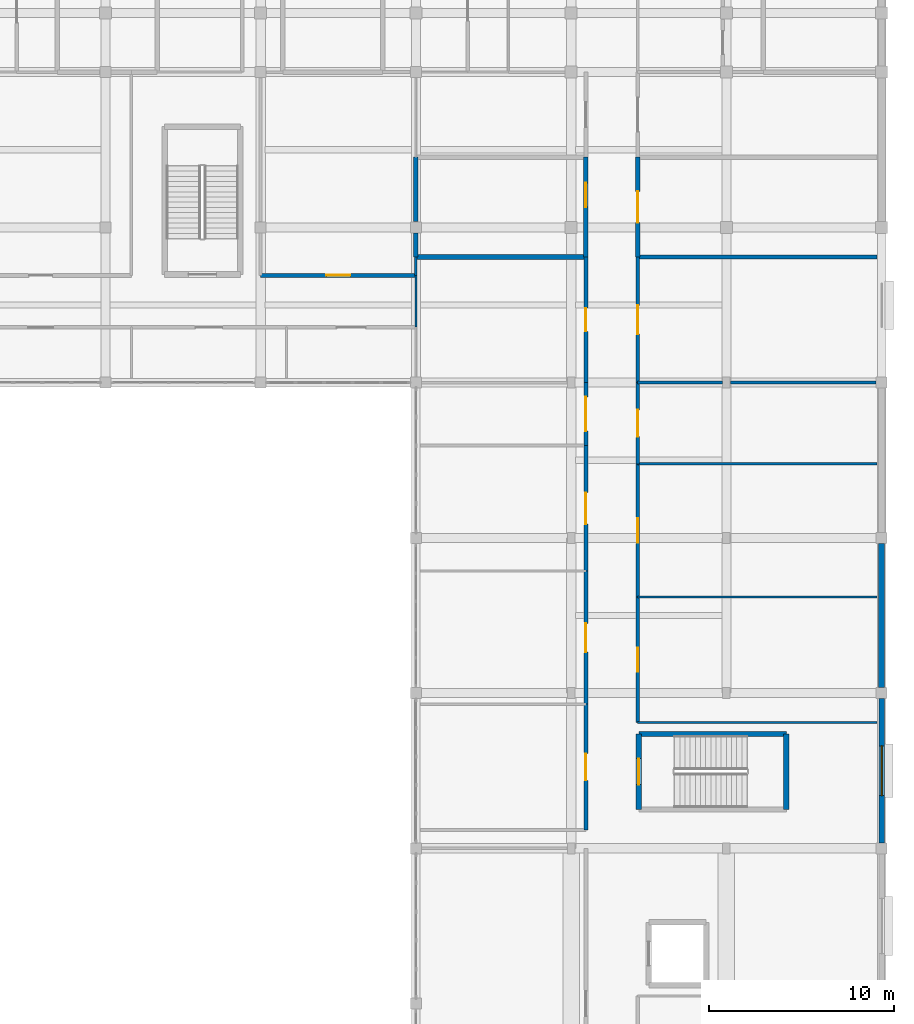
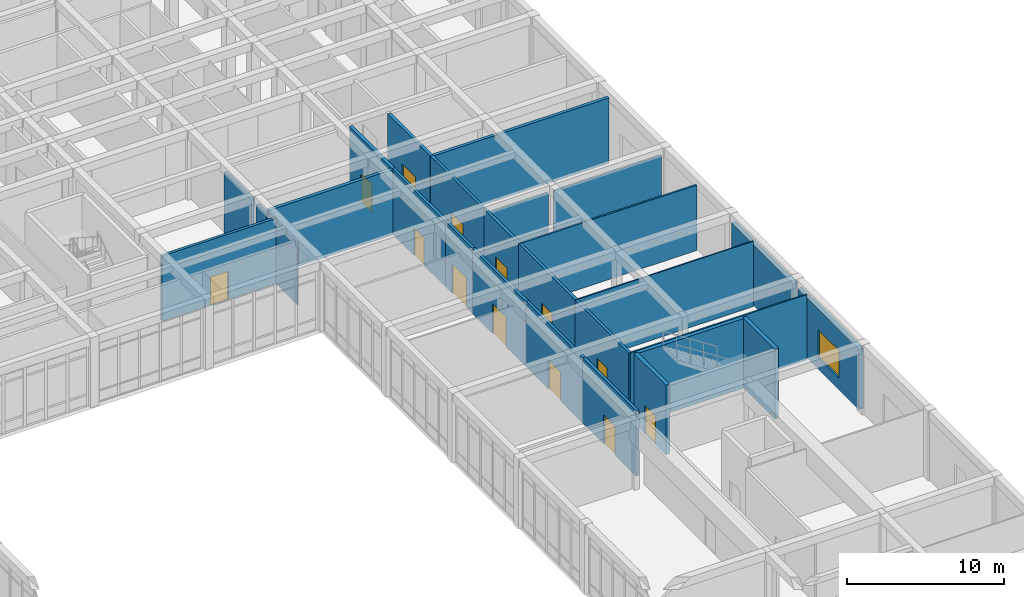
# One storey, part 67 of 89: 28 walls, 13 doors, 1 window, 14 openings.
"""IFC4 building model written with IfcOpenShell, lengths in metres."""

from ifc_helpers import new_model, si_unit, direction, frame, frame_2d, origin, place, context, subcontext, project, spatial, rectangle, extrude, material, layer, layer_set, type_object, element, fill, save


model = new_model("IFC4")

# Units and contexts
model_context = context("Model", 3, precision=1e-05, world=origin(), true_north=direction((0.0, 1.0)))
body_context = subcontext(model_context, "Body", "Model", "MODEL_VIEW")
ifc_project = project(units=[si_unit("LENGTHUNIT", "METRE"), si_unit("AREAUNIT", "SQUARE_METRE"), si_unit("VOLUMEUNIT", "CUBIC_METRE"), si_unit("PLANEANGLEUNIT", "RADIAN"), si_unit("MASSUNIT", "GRAM", prefix="KILO")], contexts=[model_context])

# Site, building, storey
site_placement = place(None, origin())
site = spatial("IfcSite", under=ifc_project, at=site_placement, CompositionType="ELEMENT")
building_placement = place(site_placement, origin())
building = spatial("IfcBuilding", under=site, at=building_placement, Name="Varncliffe General Hospital", CompositionType="ELEMENT")
storey_placement = place(building_placement, frame((0.0, 0.0, 10.800048828125)))
storey = spatial("IfcBuildingStorey", under=building, at=storey_placement, Name="L02", CompositionType="ELEMENT", Elevation=10.800048828125)

# Wall, opening, window
ifc_material_1 = material(Name="Precast concrete C40/50 with insulated cream lime-cement stucco", Category="concrete")
ifc_layer_1 = layer(ifc_material_1, 0.31005859375)
ifc_layer_set_1 = layer_set([ifc_layer_1], Name="Precast concrete C40/50 with insulated cream lime-cement stucco")
wall_type_1 = type_object("IfcWallType", Name="Exterior Insulated Stucco Wall EW20 (310mm)", PredefinedType="SOLIDWALL", material=ifc_layer_set_1)
wall_1_placement = place(storey_placement, frame((176.39990234375, 65.701904296875, 0.0), z_axis=(0.0, 0.0, 1.0), x_axis=(0.0, -1.0, 0.0)))
wall_1 = element("IfcWall", 1, at=wall_1_placement, inside=storey, type_object=wall_type_1, Name="L02 Exterior Stucco Wall EW20-203", PredefinedType="SOLIDWALL", context=body_context, shape_type="SweptSolid", body=[
    extrude(rectangle(XDim=7.803955078125, YDim=0.31005859375, at=frame_2d((3.90185546875, 0.0))), origin(), (0.0, 0.0, 1.0), 4.679931640625),
])
opening_1_placement = place(wall_1_placement, frame((2.552001953125, 0.0, 0.89990234375)))
opening_1 = element("IfcOpeningElement", 2, at=opening_1_placement, cuts=wall_1, Name="Opening WN58", PredefinedType="OPENING", context=body_context, shape_type="SweptSolid", body=[
    extrude(rectangle(XDim=2.699951171875, YDim=2.14990234375, at=frame_2d((1.35009765625, 1.074951171875))), frame((0.0, 0.1650390625, 0.0), z_axis=(0.0, -1.0, 0.0), x_axis=(1.0, 0.0, 0.0)), (0.0, 0.0, 1.0), 0.330078125),
])
ifc_material_2 = material(Name="Triple low-E argon insulated vision glazing", Category="glass")
window_type = type_object("IfcWindowType", Name="Triple-Glazed Hospital Window WN58 (2700x2150)", PartitioningType="DOUBLE_PANEL_VERTICAL", PredefinedType="WINDOW", material=ifc_material_2)
window_placement = place(opening_1_placement, origin())
window = element("IfcWindow", 3, at=window_placement, inside=storey, type_object=window_type, Name="L02 Hospital Window WN58-127", OverallHeight=2.14990234375, OverallWidth=2.699951171875, PartitioningType="DOUBLE_PANEL_VERTICAL", PredefinedType="WINDOW", context=body_context, shape_type="SweptSolid", body=[
    extrude(rectangle(XDim=2.699951171875, YDim=2.14990234375, at=frame_2d((1.35009765625, 1.074951171875))), frame((0.0, 0.030029296875, 0.0), z_axis=(0.0, -1.0, 0.0), x_axis=(1.0, 0.0, 0.0)), (0.0, 0.0, 1.0), 0.06005859375),
])
fill(opening_1, window)

# Walls
ifc_layer_2 = layer(ifc_material_1, 0.330078125)
ifc_layer_set_2 = layer_set([ifc_layer_2], Name="Precast concrete C40/50 with insulated cream lime-cement stucco")
wall_type_2 = type_object("IfcWallType", Name="Exterior Insulated Stucco Wall EW33 (330mm)", PredefinedType="SOLIDWALL", material=ifc_layer_set_2)
wall_2_placement = place(storey_placement, frame((176.39990234375, 74.10205078125, 0.0), z_axis=(0.0, 0.0, 1.0), x_axis=(0.0, -1.0, 0.0)))
element("IfcWall", 4, at=wall_2_placement, inside=storey, type_object=wall_type_2, Name="L02 Exterior Stucco Wall EW33-202", PredefinedType="SOLIDWALL", context=body_context, shape_type="SweptSolid", body=[
    extrude(rectangle(XDim=7.803955078125, YDim=0.330078125, at=frame_2d((3.90185546875, 0.0))), origin(), (0.0, 0.0, 1.0), 4.679931640625),
])
ifc_material_3 = material(Name="Acoustic clinical gypsum stud partition assembly", Category="gypsum")
ifc_layer_3 = layer(ifc_material_3, 0.1298828125)
ifc_layer_set_3 = layer_set([ifc_layer_3], Name="Acoustic clinical gypsum stud partition assembly")
wall_type_3 = type_object("IfcWallType", Name="Interior Partitioning IW11 (130mm)", PredefinedType="PARTITIONING", material=ifc_layer_set_3)
wall_3_placement = place(storey_placement, frame((163.199951171875, 78.39990234375, 0.0), z_axis=(0.0, 0.0, 1.0), x_axis=(1.0, 0.0, 0.0)))
element("IfcWall", 5, at=wall_3_placement, inside=storey, type_object=wall_type_3, Name="L02 Interior Partition Wall IW11-943", PredefinedType="PARTITIONING", context=body_context, shape_type="SweptSolid", body=[
    extrude(rectangle(XDim=12.93994140625, YDim=0.1298828125, at=frame_2d((6.469970703125, 0.0))), origin(), (0.0, 0.0, 1.0), 5.070068359375),
])
wall_4_placement = place(storey_placement, frame((151.199951171875, 88.60009765625, 0.0), z_axis=(0.0, 0.0, 1.0), x_axis=(0.0, 1.0, 0.0)))
element("IfcWall", 6, at=wall_4_placement, inside=storey, type_object=wall_type_3, Name="L02 Interior Partition Wall IW11-1278", PredefinedType="PARTITIONING", context=body_context, shape_type="SweptSolid", body=[
    extrude(rectangle(XDim=1.0, YDim=0.1298828125, at=frame_2d((0.5, 0.0))), origin(), (0.0, 0.0, 1.0), 4.73486328125),
])
ifc_layer_4 = layer(ifc_material_3, 0.14990234375)
ifc_layer_set_4 = layer_set([ifc_layer_4], Name="Acoustic clinical gypsum stud partition assembly")
wall_type_4 = type_object("IfcWallType", Name="Interior Partitioning IW35 (150mm)", PredefinedType="PARTITIONING", material=ifc_layer_set_4)
wall_5_placement = place(storey_placement, frame((168.215087890625, 82.800048828125, 0.0), z_axis=(0.0, 0.0, 1.0), x_axis=(1.0, 0.0, 0.0)))
element("IfcWall", 7, at=wall_5_placement, inside=storey, type_object=wall_type_4, Name="L02 Interior Partition Wall IW35-949", PredefinedType="PARTITIONING", context=body_context, shape_type="SweptSolid", body=[
    extrude(rectangle(XDim=7.869873046875, YDim=0.14990234375, at=frame_2d((3.93505859375, 0.0))), origin(), (0.0, 0.0, 1.0), 4.73486328125),
])
wall_6_placement = place(storey_placement, frame((163.199951171875, 82.800048828125, 0.0), z_axis=(0.0, 0.0, 1.0), x_axis=(1.0, 0.0, 0.0)))
element("IfcWall", 8, at=wall_6_placement, inside=storey, type_object=wall_type_4, Name="L02 Interior Partition Wall IW35-950", PredefinedType="PARTITIONING", context=body_context, shape_type="SweptSolid", body=[
    extrude(rectangle(XDim=4.5849609375, YDim=0.14990234375, at=frame_2d((2.29248046875, 0.0))), origin(), (0.0, 0.0, 1.0), 4.73486328125),
])
ifc_layer_5 = layer(ifc_material_3, 0.090087890625)
ifc_layer_set_5 = layer_set([ifc_layer_5], Name="Acoustic clinical gypsum stud partition assembly")
wall_type_5 = type_object("IfcWallType", Name="Interior Partitioning IW42 (90mm)", PredefinedType="PARTITIONING", material=ifc_layer_set_5)
wall_7_placement = place(storey_placement, frame((163.199951171875, 71.199951171875, 0.0), z_axis=(0.0, 0.0, 1.0), x_axis=(1.0, 0.0, 0.0)))
element("IfcWall", 9, at=wall_7_placement, inside=storey, type_object=wall_type_5, Name="L02 Interior Partition Wall IW42-926", PredefinedType="PARTITIONING", context=body_context, shape_type="SweptSolid", body=[
    extrude(rectangle(XDim=12.93994140625, YDim=0.090087890625, at=frame_2d((6.469970703125, 0.0))), origin(), (0.0, 0.0, 1.0), 5.070068359375),
])
ifc_layer_6 = layer(ifc_material_3, 0.110107421875)
ifc_layer_set_6 = layer_set([ifc_layer_6], Name="Acoustic clinical gypsum stud partition assembly")
wall_type_6 = type_object("IfcWallType", Name="Interior Partitioning IW65 (110mm)", PredefinedType="PARTITIONING", material=ifc_layer_set_6)
wall_8_placement = place(storey_placement, frame((163.199951171875, 64.39990234375, 0.0), z_axis=(0.0, 0.0, 1.0), x_axis=(1.0, 0.0, 0.0)))
element("IfcWall", 10, at=wall_8_placement, inside=storey, type_object=wall_type_6, Name="L02 Interior Partition Wall IW65-922", PredefinedType="PARTITIONING", context=body_context, shape_type="SweptSolid", body=[
    extrude(rectangle(XDim=12.93994140625, YDim=0.110107421875, at=frame_2d((6.469970703125, 0.0))), origin(), (0.0, 0.0, 1.0), 5.070068359375),
])
wall_9_placement = place(storey_placement, frame((151.199951171875, 85.800048828125, 0.0), z_axis=(0.0, 0.0, 1.0), x_axis=(0.0, 1.0, 0.0)))
element("IfcWall", 11, at=wall_9_placement, inside=storey, type_object=wall_type_6, Name="L02 Interior Partition Wall IW65-1277", PredefinedType="PARTITIONING", context=body_context, shape_type="SweptSolid", body=[
    extrude(rectangle(XDim=2.800048828125, YDim=0.110107421875, at=frame_2d((1.39990234375, 0.0))), origin(), (0.0, 0.0, 1.0), 4.73486328125),
])
ifc_material_4 = material(Name="Fire-rated gypsum and mineral-wool partition assembly", Category="gypsum")
ifc_layer_7 = layer(ifc_material_4, 0.25)
ifc_layer_set_7 = layer_set([ifc_layer_7], Name="Fire-rated gypsum and mineral-wool partition assembly")
wall_type_7 = type_object("IfcWallType", Name="Interior Partitioning PW38 (250mm)", PredefinedType="PARTITIONING", material=ifc_layer_set_7)
wall_10_placement = place(storey_placement, frame((151.199951171875, 89.60009765625, 0.0), z_axis=(0.0, 0.0, 1.0), x_axis=(1.0, 0.0, 0.0)))
element("IfcWall", 12, at=wall_10_placement, inside=storey, type_object=wall_type_7, Name="L02 Interior Partition Wall PW38-983", PredefinedType="PARTITIONING", context=body_context, shape_type="SweptSolid", body=[
    extrude(rectangle(XDim=9.199951171875, YDim=0.25, at=frame_2d((4.60009765625, 0.0))), origin(), (0.0, 0.0, 1.0), 5.070068359375),
])
wall_11_placement = place(storey_placement, frame((151.199951171875, 91.514892578125, 0.0), z_axis=(0.0, 0.0, 1.0), x_axis=(0.0, 1.0, 0.0)))
element("IfcWall", 13, at=wall_11_placement, inside=storey, type_object=wall_type_7, Name="L02 Interior Partition Wall PW38-1279", PredefinedType="PARTITIONING", context=body_context, shape_type="SweptSolid", body=[
    extrude(rectangle(XDim=3.485107421875, YDim=0.25, at=frame_2d((1.74267578125, 0.0))), origin(), (0.0, 0.0, 1.0), 4.73486328125),
])
wall_12_placement = place(storey_placement, frame((151.199951171875, 89.60009765625, 0.0), z_axis=(0.0, 0.0, 1.0), x_axis=(0.0, 1.0, 0.0)))
element("IfcWall", 14, at=wall_12_placement, inside=storey, type_object=wall_type_7, Name="L02 Interior Partition Wall PW38-1280", PredefinedType="PARTITIONING", context=body_context, shape_type="SweptSolid", body=[
    extrude(rectangle(XDim=1.284912109375, YDim=0.25, at=frame_2d((0.642578125, 0.0))), origin(), (0.0, 0.0, 1.0), 4.73486328125),
])

# Wall, opening, door
wall_13_placement = place(storey_placement, frame((160.39990234375, 89.60009765625, 0.0), z_axis=(0.0, 0.0, 1.0), x_axis=(0.0, 1.0, 0.0)))
wall_13 = element("IfcWall", 15, at=wall_13_placement, inside=storey, type_object=wall_type_7, Name="L02 Interior Partition Wall PW38-1301", PredefinedType="PARTITIONING", context=body_context, shape_type="SweptSolid", body=[
    extrude(rectangle(XDim=5.39990234375, YDim=0.25, at=frame_2d((2.699951171875, 0.0))), origin(), (0.0, 0.0, 1.0), 5.070068359375),
])
opening_2_placement = place(wall_13_placement, frame((2.70166015625, 0.0, 0.0)))
opening_2 = element("IfcOpeningElement", 16, at=opening_2_placement, cuts=wall_13, Name="Opening DC88", PredefinedType="OPENING", context=body_context, shape_type="SweptSolid", body=[
    extrude(rectangle(XDim=1.300048828125, YDim=2.199951171875, at=frame_2d((0.64990234375, 1.10009765625))), frame((0.0, 0.135009765625, 0.0), z_axis=(0.0, -1.0, 0.0), x_axis=(1.0, 0.0, 0.0)), (0.0, 0.0, 1.0), 0.27001953125),
])
ifc_material_5 = material(Name="Fire-rated hospital steel-frame vision-panel door", Category="steel")
door_type_1 = type_object("IfcDoorType", Name="Interior Hospital Door DC88 (1300x2200)", OperationType="NOTDEFINED", PredefinedType="DOOR", material=ifc_material_5)
door_1_placement = place(opening_2_placement, origin())
door_1 = element("IfcDoor", 17, at=door_1_placement, inside=storey, type_object=door_type_1, Name="L02 Surgical Sub-Sterile Utility Store 163 Door", OperationType="SINGLE_SWING_RIGHT", OverallHeight=2.199951171875, OverallWidth=1.300048828125, PredefinedType="DOOR", context=body_context, shape_type="SweptSolid", body=[
    extrude(rectangle(XDim=1.300048828125, YDim=2.199951171875, at=frame_2d((0.64990234375, 1.10009765625))), frame((0.0, 0.02490234375, 0.0), z_axis=(0.0, -1.0, 0.0), x_axis=(1.0, 0.0, 0.0)), (0.0, 0.0, 1.0), 0.050048828125),
])
fill(opening_2, door_1)

# Wall
ifc_layer_8 = layer(ifc_material_4, 0.22998046875)
ifc_layer_set_8 = layer_set([ifc_layer_8], Name="Fire-rated gypsum and mineral-wool partition assembly")
wall_type_8 = type_object("IfcWallType", Name="Interior Partitioning PW48 (230mm)", PredefinedType="PARTITIONING", material=ifc_layer_set_8)
wall_14_placement = place(storey_placement, frame((163.199951171875, 89.60009765625, 0.0), z_axis=(0.0, 0.0, 1.0), x_axis=(1.0, 0.0, 0.0)))
element("IfcWall", 18, at=wall_14_placement, inside=storey, type_object=wall_type_8, Name="L02 Interior Partition Wall PW48-984", PredefinedType="PARTITIONING", context=body_context, shape_type="SweptSolid", body=[
    extrude(rectangle(XDim=12.93994140625, YDim=0.22998046875, at=frame_2d((6.469970703125, 0.0))), origin(), (0.0, 0.0, 1.0), 5.070068359375),
])

# Wall, opening, door
wall_15_placement = place(storey_placement, frame((163.199951171875, 89.60009765625, 0.0), z_axis=(0.0, 0.0, 1.0), x_axis=(0.0, 1.0, 0.0)))
wall_15 = element("IfcWall", 19, at=wall_15_placement, inside=storey, type_object=wall_type_8, Name="L02 Interior Partition Wall PW48-1312", PredefinedType="PARTITIONING", context=body_context, shape_type="SweptSolid", body=[
    extrude(rectangle(XDim=5.39990234375, YDim=0.22998046875, at=frame_2d((2.699951171875, 0.0))), origin(), (0.0, 0.0, 1.0), 5.070068359375),
])
opening_3_placement = place(wall_15_placement, frame((1.85009765625, 0.0, 0.0)))
opening_3 = element("IfcOpeningElement", 20, at=opening_3_placement, cuts=wall_15, Name="Opening DC50", PredefinedType="OPENING", context=body_context, shape_type="SweptSolid", body=[
    extrude(rectangle(XDim=1.699951171875, YDim=2.300048828125, at=frame_2d((0.85009765625, 1.14990234375))), frame((0.0, 0.125, 0.0), z_axis=(0.0, -1.0, 0.0), x_axis=(1.0, 0.0, 0.0)), (0.0, 0.0, 1.0), 0.25),
])
door_type_2 = type_object("IfcDoorType", Name="Interior Hospital Door DC50 (1700x2300)", OperationType="NOTDEFINED", PredefinedType="DOOR", material=ifc_material_5)
door_2_placement = place(opening_3_placement, frame((1.699951171875, 0.0, 0.0), z_axis=(0.0, 0.0, 1.0), x_axis=(-1.0, 0.0, 0.0)))
door_2 = element("IfcDoor", 21, at=door_2_placement, inside=storey, type_object=door_type_2, Name="L02 Surgical Sub-Sterile Utility Store 166 Door", OperationType="SINGLE_SWING_LEFT", OverallHeight=2.300048828125, OverallWidth=1.699951171875, PredefinedType="DOOR", context=body_context, shape_type="SweptSolid", body=[
    extrude(rectangle(XDim=1.699951171875, YDim=2.300048828125, at=frame_2d((0.85009765625, 1.14990234375))), frame((0.0, 0.02490234375, 0.0), z_axis=(0.0, -1.0, 0.0), x_axis=(1.0, 0.0, 0.0)), (0.0, 0.0, 1.0), 0.050048828125),
])
fill(opening_3, door_2)

ifc_layer_9 = layer(ifc_material_4, 0.199951171875)
ifc_layer_set_9 = layer_set([ifc_layer_9], Name="Fire-rated gypsum and mineral-wool partition assembly")
wall_type_9 = type_object("IfcWallType", Name="Interior Partitioning PW63 (200mm)", PredefinedType="PARTITIONING", material=ifc_layer_set_9)
wall_16_placement = place(storey_placement, frame((142.800048828125, 88.60009765625, 0.0), z_axis=(0.0, 0.0, 1.0), x_axis=(1.0, 0.0, 0.0)))
wall_16 = element("IfcWall", 22, at=wall_16_placement, inside=storey, type_object=wall_type_9, Name="L02 Interior Partition Wall PW63-981", PredefinedType="PARTITIONING", context=body_context, shape_type="SweptSolid", body=[
    extrude(rectangle(XDim=8.39990234375, YDim=0.199951171875, at=frame_2d((4.199951171875, 0.0))), origin(), (0.0, 0.0, 1.0), 5.070068359375),
])
opening_4_placement = place(wall_16_placement, frame((3.550048828125, 0.0, 0.0)))
opening_4 = element("IfcOpeningElement", 23, at=opening_4_placement, cuts=wall_16, Name="Opening DC88", PredefinedType="OPENING", context=body_context, shape_type="SweptSolid", body=[
    extrude(rectangle(XDim=1.300048828125, YDim=2.199951171875, at=frame_2d((0.64990234375, 1.10009765625))), frame((0.0, 0.10986328125, 0.0), z_axis=(0.0, -1.0, 0.0), x_axis=(1.0, 0.0, 0.0)), (0.0, 0.0, 1.0), 0.219970703125),
])
door_3_placement = place(opening_4_placement, origin())
door_3 = element("IfcDoor", 24, at=door_3_placement, inside=storey, type_object=door_type_1, Name="L02 Post-Anaesthesia Care Recovery PACU 80 Door", OperationType="SINGLE_SWING_RIGHT", OverallHeight=2.199951171875, OverallWidth=1.300048828125, PredefinedType="DOOR", context=body_context, shape_type="SweptSolid", body=[
    extrude(rectangle(XDim=1.300048828125, YDim=2.199951171875, at=frame_2d((0.64990234375, 1.10009765625))), frame((0.0, 0.02490234375, 0.0), z_axis=(0.0, -1.0, 0.0), x_axis=(1.0, 0.0, 0.0)), (0.0, 0.0, 1.0), 0.050048828125),
])
fill(opening_4, door_3)

wall_17_placement = place(storey_placement, frame((160.39990234375, 58.60009765625, 0.0), z_axis=(0.0, 0.0, 1.0), x_axis=(0.0, 1.0, 0.0)))
wall_17 = element("IfcWall", 25, at=wall_17_placement, inside=storey, type_object=wall_type_9, Name="L02 Interior Partition Wall PW63-1296", PredefinedType="PARTITIONING", context=body_context, shape_type="SweptSolid", body=[
    extrude(rectangle(XDim=6.7998046875, YDim=0.199951171875, at=frame_2d((3.39990234375, 0.0))), origin(), (0.0, 0.0, 1.0), 5.070068359375),
])
opening_5_placement = place(wall_17_placement, frame((2.675048828125, 0.0, 0.0)))
opening_5 = element("IfcOpeningElement", 26, at=opening_5_placement, cuts=wall_17, Name="Opening DC66", PredefinedType="OPENING", context=body_context, shape_type="SweptSolid", body=[
    extrude(rectangle(XDim=1.449951171875, YDim=2.25, at=frame_2d((0.72509765625, 1.125))), frame((0.0, 0.10986328125, 0.0), z_axis=(0.0, -1.0, 0.0), x_axis=(1.0, 0.0, 0.0)), (0.0, 0.0, 1.0), 0.219970703125),
])
door_type_3 = type_object("IfcDoorType", Name="Interior Hospital Door DC66 (1450x2250)", OperationType="NOTDEFINED", PredefinedType="DOOR", material=ifc_material_5)
door_4_placement = place(opening_5_placement, origin())
door_4 = element("IfcDoor", 27, at=door_4_placement, inside=storey, type_object=door_type_3, Name="L02 Day Surgery Preparation and Recovery Bay 88 Door", OperationType="SINGLE_SWING_LEFT", OverallHeight=2.25, OverallWidth=1.449951171875, PredefinedType="DOOR", context=body_context, shape_type="SweptSolid", body=[
    extrude(rectangle(XDim=1.449951171875, YDim=2.25, at=frame_2d((0.72509765625, 1.125))), frame((0.0, 0.02490234375, 0.0), z_axis=(0.0, -1.0, 0.0), x_axis=(1.0, 0.0, 0.0)), (0.0, 0.0, 1.0), 0.050048828125),
])
fill(opening_5, door_4)

wall_18_placement = place(storey_placement, frame((160.39990234375, 65.39990234375, 0.0), z_axis=(0.0, 0.0, 1.0), x_axis=(0.0, 1.0, 0.0)))
wall_18 = element("IfcWall", 28, at=wall_18_placement, inside=storey, type_object=wall_type_9, Name="L02 Interior Partition Wall PW63-1297", PredefinedType="PARTITIONING", context=body_context, shape_type="SweptSolid", body=[
    extrude(rectangle(XDim=7.2001953125, YDim=0.199951171875, at=frame_2d((3.60009765625, 0.0))), origin(), (0.0, 0.0, 1.0), 5.070068359375),
])
opening_6_placement = place(wall_18_placement, frame((2.824951171875, 0.0, 0.0)))
opening_6 = element("IfcOpeningElement", 29, at=opening_6_placement, cuts=wall_18, Name="Opening DC67", PredefinedType="OPENING", context=body_context, shape_type="SweptSolid", body=[
    extrude(rectangle(XDim=1.550048828125, YDim=2.25, at=frame_2d((0.77490234375, 1.125))), frame((0.0, 0.10986328125, 0.0), z_axis=(0.0, -1.0, 0.0), x_axis=(1.0, 0.0, 0.0)), (0.0, 0.0, 1.0), 0.219970703125),
])
door_type_4 = type_object("IfcDoorType", Name="Interior Hospital Door DC67 (1550x2250)", OperationType="NOTDEFINED", PredefinedType="DOOR", material=ifc_material_5)
door_5_placement = place(opening_6_placement, origin())
door_5 = element("IfcDoor", 30, at=door_5_placement, inside=storey, type_object=door_type_4, Name="L02 Gastroenterology Endoscopy Clinic 89 Door", OperationType="SINGLE_SWING_RIGHT", OverallHeight=2.25, OverallWidth=1.550048828125, PredefinedType="DOOR", context=body_context, shape_type="SweptSolid", body=[
    extrude(rectangle(XDim=1.550048828125, YDim=2.25, at=frame_2d((0.77490234375, 1.125))), frame((0.0, 0.02490234375, 0.0), z_axis=(0.0, -1.0, 0.0), x_axis=(1.0, 0.0, 0.0)), (0.0, 0.0, 1.0), 0.050048828125),
])
fill(opening_6, door_5)

wall_19_placement = place(storey_placement, frame((160.39990234375, 72.60009765625, 0.0), z_axis=(0.0, 0.0, 1.0), x_axis=(0.0, 1.0, 0.0)))
wall_19 = element("IfcWall", 31, at=wall_19_placement, inside=storey, type_object=wall_type_9, Name="L02 Interior Partition Wall PW63-1298", PredefinedType="PARTITIONING", context=body_context, shape_type="SweptSolid", body=[
    extrude(rectangle(XDim=6.7998046875, YDim=0.199951171875, at=frame_2d((3.39990234375, 0.0))), origin(), (0.0, 0.0, 1.0), 5.070068359375),
])
opening_7_placement = place(wall_19_placement, frame((2.550048828125, 0.0, 0.0)))
opening_7 = element("IfcOpeningElement", 32, at=opening_7_placement, cuts=wall_19, Name="Opening DC50", PredefinedType="OPENING", context=body_context, shape_type="SweptSolid", body=[
    extrude(rectangle(XDim=1.699951171875, YDim=2.300048828125, at=frame_2d((0.85009765625, 1.14990234375))), frame((0.0, 0.10986328125, 0.0), z_axis=(0.0, -1.0, 0.0), x_axis=(1.0, 0.0, 0.0)), (0.0, 0.0, 1.0), 0.219970703125),
])
door_6_placement = place(opening_7_placement, origin())
door_6 = element("IfcDoor", 33, at=door_6_placement, inside=storey, type_object=door_type_2, Name="L02 Day Surgery Preparation and Recovery Bay 90 Door", OperationType="SINGLE_SWING_LEFT", OverallHeight=2.300048828125, OverallWidth=1.699951171875, PredefinedType="DOOR", context=body_context, shape_type="SweptSolid", body=[
    extrude(rectangle(XDim=1.699951171875, YDim=2.300048828125, at=frame_2d((0.85009765625, 1.14990234375))), frame((0.0, 0.02490234375, 0.0), z_axis=(0.0, -1.0, 0.0), x_axis=(1.0, 0.0, 0.0)), (0.0, 0.0, 1.0), 0.050048828125),
])
fill(opening_7, door_6)

wall_20_placement = place(storey_placement, frame((160.39990234375, 79.39990234375, 0.0), z_axis=(0.0, 0.0, 1.0), x_axis=(0.0, 1.0, 0.0)))
wall_20 = element("IfcWall", 34, at=wall_20_placement, inside=storey, type_object=wall_type_9, Name="L02 Interior Partition Wall PW63-1299", PredefinedType="PARTITIONING", context=body_context, shape_type="SweptSolid", body=[
    extrude(rectangle(XDim=3.400146484375, YDim=0.199951171875, at=frame_2d((1.7001953125, 0.0))), origin(), (0.0, 0.0, 1.0), 5.070068359375),
])
opening_8_placement = place(wall_20_placement, frame((0.77490234375, 0.0, 0.0)))
opening_8 = element("IfcOpeningElement", 35, at=opening_8_placement, cuts=wall_20, Name="Opening DC38", PredefinedType="OPENING", context=body_context, shape_type="SweptSolid", body=[
    extrude(rectangle(XDim=1.85009765625, YDim=2.300048828125, at=frame_2d((0.925048828125, 1.14990234375))), frame((0.0, 0.10986328125, 0.0), z_axis=(0.0, -1.0, 0.0), x_axis=(1.0, 0.0, 0.0)), (0.0, 0.0, 1.0), 0.219970703125),
])
door_type_5 = type_object("IfcDoorType", Name="Interior Hospital Door DC38 (1850x2300)", OperationType="NOTDEFINED", PredefinedType="DOOR", material=ifc_material_5)
door_7_placement = place(opening_8_placement, origin())
door_7 = element("IfcDoor", 36, at=door_7_placement, inside=storey, type_object=door_type_5, Name="L02 Gastroenterology Endoscopy Clinic 91 Door", OperationType="SINGLE_SWING_RIGHT", OverallHeight=2.300048828125, OverallWidth=1.85009765625, PredefinedType="DOOR", context=body_context, shape_type="SweptSolid", body=[
    extrude(rectangle(XDim=1.85009765625, YDim=2.300048828125, at=frame_2d((0.925048828125, 1.14990234375))), frame((0.0, 0.02490234375, 0.0), z_axis=(0.0, -1.0, 0.0), x_axis=(1.0, 0.0, 0.0)), (0.0, 0.0, 1.0), 0.050048828125),
])
fill(opening_8, door_7)

wall_21_placement = place(storey_placement, frame((160.39990234375, 82.800048828125, 0.0), z_axis=(0.0, 0.0, 1.0), x_axis=(0.0, 1.0, 0.0)))
wall_21 = element("IfcWall", 37, at=wall_21_placement, inside=storey, type_object=wall_type_9, Name="L02 Interior Partition Wall PW63-1300", PredefinedType="PARTITIONING", context=body_context, shape_type="SweptSolid", body=[
    extrude(rectangle(XDim=6.800048828125, YDim=0.199951171875, at=frame_2d((3.39990234375, 0.0))), origin(), (0.0, 0.0, 1.0), 5.070068359375),
])
opening_9_placement = place(wall_21_placement, frame((2.77490234375, 0.0, 0.0)))
opening_9 = element("IfcOpeningElement", 38, at=opening_9_placement, cuts=wall_21, Name="Opening DC44", PredefinedType="OPENING", context=body_context, shape_type="SweptSolid", body=[
    extrude(rectangle(XDim=1.25, YDim=2.14990234375, at=frame_2d((0.625, 1.074951171875))), frame((0.0, 0.10986328125, 0.0), z_axis=(0.0, -1.0, 0.0), x_axis=(1.0, 0.0, 0.0)), (0.0, 0.0, 1.0), 0.219970703125),
])
door_type_6 = type_object("IfcDoorType", Name="Interior Hospital Door DC44 (1250x2150)", OperationType="NOTDEFINED", PredefinedType="DOOR", material=ifc_material_5)
door_8_placement = place(opening_9_placement, origin())
door_8 = element("IfcDoor", 39, at=door_8_placement, inside=storey, type_object=door_type_6, Name="L02 Surgical Inpatient Ward Room 162 Door", OperationType="SINGLE_SWING_LEFT", OverallHeight=2.14990234375, OverallWidth=1.25, PredefinedType="DOOR", context=body_context, shape_type="SweptSolid", body=[
    extrude(rectangle(XDim=1.25, YDim=2.14990234375, at=frame_2d((0.625, 1.074951171875))), frame((0.0, 0.02490234375, 0.0), z_axis=(0.0, -1.0, 0.0), x_axis=(1.0, 0.0, 0.0)), (0.0, 0.0, 1.0), 0.050048828125),
])
fill(opening_9, door_8)

wall_22_placement = place(storey_placement, frame((163.199951171875, 64.39990234375, 0.0), z_axis=(0.0, 0.0, 1.0), x_axis=(0.0, 1.0, 0.0)))
wall_22 = element("IfcWall", 40, at=wall_22_placement, inside=storey, type_object=wall_type_9, Name="L02 Interior Partition Wall PW63-1308", PredefinedType="PARTITIONING", context=body_context, shape_type="SweptSolid", body=[
    extrude(rectangle(XDim=6.800048828125, YDim=0.199951171875, at=frame_2d((3.39990234375, 0.0))), origin(), (0.0, 0.0, 1.0), 5.070068359375),
])
opening_10_placement = place(wall_22_placement, frame((2.75, 0.0, 0.0)))
opening_10 = element("IfcOpeningElement", 41, at=opening_10_placement, cuts=wall_22, Name="Opening DC88", PredefinedType="OPENING", context=body_context, shape_type="SweptSolid", body=[
    extrude(rectangle(XDim=1.300048828125, YDim=2.199951171875, at=frame_2d((0.64990234375, 1.10009765625))), frame((0.0, 0.10986328125, 0.0), z_axis=(0.0, -1.0, 0.0), x_axis=(1.0, 0.0, 0.0)), (0.0, 0.0, 1.0), 0.219970703125),
])
door_9_placement = place(opening_10_placement, frame((1.300048828125, 0.0, 0.0), z_axis=(0.0, 0.0, 1.0), x_axis=(-1.0, 0.0, 0.0)))
door_9 = element("IfcDoor", 42, at=door_9_placement, inside=storey, type_object=door_type_1, Name="L02 Day Surgery Preparation and Recovery Bay 96 Door", OperationType="SINGLE_SWING_LEFT", OverallHeight=2.199951171875, OverallWidth=1.300048828125, PredefinedType="DOOR", context=body_context, shape_type="SweptSolid", body=[
    extrude(rectangle(XDim=1.300048828125, YDim=2.199951171875, at=frame_2d((0.64990234375, 1.10009765625))), frame((0.0, 0.02490234375, 0.0), z_axis=(0.0, -1.0, 0.0), x_axis=(1.0, 0.0, 0.0)), (0.0, 0.0, 1.0), 0.050048828125),
])
fill(opening_10, door_9)

wall_23_placement = place(storey_placement, frame((163.199951171875, 71.199951171875, 0.0), z_axis=(0.0, 0.0, 1.0), x_axis=(0.0, 1.0, 0.0)))
wall_23 = element("IfcWall", 43, at=wall_23_placement, inside=storey, type_object=wall_type_9, Name="L02 Interior Partition Wall PW63-1309", PredefinedType="PARTITIONING", context=body_context, shape_type="SweptSolid", body=[
    extrude(rectangle(XDim=7.199951171875, YDim=0.199951171875, at=frame_2d((3.60009765625, 0.0))), origin(), (0.0, 0.0, 1.0), 5.070068359375),
])
opening_11_placement = place(wall_23_placement, frame((2.925048828125, 0.0, 0.0)))
opening_11 = element("IfcOpeningElement", 44, at=opening_11_placement, cuts=wall_23, Name="Opening DC85", PredefinedType="OPENING", context=body_context, shape_type="SweptSolid", body=[
    extrude(rectangle(XDim=1.35009765625, YDim=2.199951171875, at=frame_2d((0.675048828125, 1.10009765625))), frame((0.0, 0.10986328125, 0.0), z_axis=(0.0, -1.0, 0.0), x_axis=(1.0, 0.0, 0.0)), (0.0, 0.0, 1.0), 0.219970703125),
])
door_type_7 = type_object("IfcDoorType", Name="Interior Hospital Door DC85 (1350x2200)", OperationType="NOTDEFINED", PredefinedType="DOOR", material=ifc_material_5)
door_10_placement = place(opening_11_placement, frame((1.35009765625, 0.0, 0.0), z_axis=(0.0, 0.0, 1.0), x_axis=(-1.0, 0.0, 0.0)))
door_10 = element("IfcDoor", 45, at=door_10_placement, inside=storey, type_object=door_type_7, Name="L02 Gastroenterology Endoscopy Clinic 97 Door", OperationType="SINGLE_SWING_RIGHT", OverallHeight=2.199951171875, OverallWidth=1.35009765625, PredefinedType="DOOR", context=body_context, shape_type="SweptSolid", body=[
    extrude(rectangle(XDim=1.35009765625, YDim=2.199951171875, at=frame_2d((0.675048828125, 1.10009765625))), frame((0.0, 0.02490234375, 0.0), z_axis=(0.0, -1.0, 0.0), x_axis=(1.0, 0.0, 0.0)), (0.0, 0.0, 1.0), 0.050048828125),
])
fill(opening_11, door_10)

wall_24_placement = place(storey_placement, frame((163.199951171875, 78.39990234375, 0.0), z_axis=(0.0, 0.0, 1.0), x_axis=(0.0, 1.0, 0.0)))
wall_24 = element("IfcWall", 46, at=wall_24_placement, inside=storey, type_object=wall_type_9, Name="L02 Interior Partition Wall PW63-1310", PredefinedType="PARTITIONING", context=body_context, shape_type="SweptSolid", body=[
    extrude(rectangle(XDim=4.400146484375, YDim=0.199951171875, at=frame_2d((2.2001953125, 0.0))), origin(), (0.0, 0.0, 1.0), 5.070068359375),
])
opening_12_placement = place(wall_24_placement, frame((1.47509765625, 0.0, 0.0)))
opening_12 = element("IfcOpeningElement", 47, at=opening_12_placement, cuts=wall_24, Name="Opening DC66", PredefinedType="OPENING", context=body_context, shape_type="SweptSolid", body=[
    extrude(rectangle(XDim=1.449951171875, YDim=2.25, at=frame_2d((0.72509765625, 1.125))), frame((0.0, 0.10986328125, 0.0), z_axis=(0.0, -1.0, 0.0), x_axis=(1.0, 0.0, 0.0)), (0.0, 0.0, 1.0), 0.219970703125),
])
door_11_placement = place(opening_12_placement, frame((1.449951171875, 0.0, 0.0), z_axis=(0.0, 0.0, 1.0), x_axis=(-1.0, 0.0, 0.0)))
door_11 = element("IfcDoor", 48, at=door_11_placement, inside=storey, type_object=door_type_3, Name="L02 Day Surgery Preparation and Recovery Bay 98 Door", OperationType="SINGLE_SWING_LEFT", OverallHeight=2.25, OverallWidth=1.449951171875, PredefinedType="DOOR", context=body_context, shape_type="SweptSolid", body=[
    extrude(rectangle(XDim=1.449951171875, YDim=2.25, at=frame_2d((0.72509765625, 1.125))), frame((0.0, 0.02490234375, 0.0), z_axis=(0.0, -1.0, 0.0), x_axis=(1.0, 0.0, 0.0)), (0.0, 0.0, 1.0), 0.050048828125),
])
fill(opening_12, door_11)

wall_25_placement = place(storey_placement, frame((163.199951171875, 82.800048828125, 0.0), z_axis=(0.0, 0.0, 1.0), x_axis=(0.0, 1.0, 0.0)))
wall_25 = element("IfcWall", 49, at=wall_25_placement, inside=storey, type_object=wall_type_9, Name="L02 Interior Partition Wall PW63-1311", PredefinedType="PARTITIONING", context=body_context, shape_type="SweptSolid", body=[
    extrude(rectangle(XDim=6.800048828125, YDim=0.199951171875, at=frame_2d((3.39990234375, 0.0))), origin(), (0.0, 0.0, 1.0), 5.070068359375),
])
opening_13_placement = place(wall_25_placement, frame((2.625, 0.0, 0.0)))
opening_13 = element("IfcOpeningElement", 50, at=opening_13_placement, cuts=wall_25, Name="Opening DC67", PredefinedType="OPENING", context=body_context, shape_type="SweptSolid", body=[
    extrude(rectangle(XDim=1.550048828125, YDim=2.25, at=frame_2d((0.77490234375, 1.125))), frame((0.0, 0.10986328125, 0.0), z_axis=(0.0, -1.0, 0.0), x_axis=(1.0, 0.0, 0.0)), (0.0, 0.0, 1.0), 0.219970703125),
])
door_12_placement = place(opening_13_placement, frame((1.550048828125, 0.0, 0.0), z_axis=(0.0, 0.0, 1.0), x_axis=(-1.0, 0.0, 0.0)))
door_12 = element("IfcDoor", 51, at=door_12_placement, inside=storey, type_object=door_type_4, Name="L02 Surgical Inpatient Ward Room 165 Door", OperationType="SINGLE_SWING_RIGHT", OverallHeight=2.25, OverallWidth=1.550048828125, PredefinedType="DOOR", context=body_context, shape_type="SweptSolid", body=[
    extrude(rectangle(XDim=1.550048828125, YDim=2.25, at=frame_2d((0.77490234375, 1.125))), frame((0.0, 0.02490234375, 0.0), z_axis=(0.0, -1.0, 0.0), x_axis=(1.0, 0.0, 0.0)), (0.0, 0.0, 1.0), 0.050048828125),
])
fill(opening_13, door_12)

# Walls
ifc_material_6 = material(Name="Concrete C40/50 (CSA A23.1 40 MPa)", Category="concrete")
ifc_layer_10 = layer(ifc_material_6, 0.280029296875)
ifc_layer_set_10 = layer_set([ifc_layer_10], Name="Concrete C40/50 (CSA A23.1 40 MPa)")
wall_type_10 = type_object("IfcWallType", Name="Reinforced Concrete Core Shear Wall CW13 (280mm)", PredefinedType="SHEAR", material=ifc_layer_set_10)
wall_26_placement = place(storey_placement, frame((171.239990234375, 59.7099609375, 0.0), z_axis=(0.0, 0.0, 1.0), x_axis=(0.0, 1.0, 0.0)))
element("IfcWall", 52, at=wall_26_placement, inside=storey, type_object=wall_type_10, Name="L02 ST07 Core Shear Wall F", PredefinedType="SHEAR", context=body_context, shape_type="SweptSolid", body=[
    extrude(rectangle(XDim=4.080078125, YDim=0.280029296875, at=frame_2d((2.0400390625, 0.0))), origin(), (0.0, 0.0, 1.0), 5.39990234375),
])
wall_27_placement = place(storey_placement, frame((171.239990234375, 63.7900390625, 0.0), z_axis=(0.0, 0.0, 1.0), x_axis=(-1.0, 0.0, 0.0)))
element("IfcWall", 53, at=wall_27_placement, inside=storey, type_object=wall_type_10, Name="L02 ST07 Core Shear Wall R", PredefinedType="SHEAR", context=body_context, shape_type="SweptSolid", body=[
    extrude(rectangle(XDim=7.97998046875, YDim=0.280029296875, at=frame_2d((3.989990234375, 0.0))), origin(), (0.0, 0.0, 1.0), 5.39990234375),
])

# Wall, opening, door
wall_28_placement = place(storey_placement, frame((163.260009765625, 63.7900390625, 0.0), z_axis=(0.0, 0.0, 1.0), x_axis=(0.0, -1.0, 0.0)))
wall_28 = element("IfcWall", 54, at=wall_28_placement, inside=storey, type_object=wall_type_10, Name="L02 ST07 Core Shear Wall N", PredefinedType="SHEAR", context=body_context, shape_type="SweptSolid", body=[
    extrude(rectangle(XDim=4.080078125, YDim=0.280029296875, at=frame_2d((2.0400390625, 0.0))), origin(), (0.0, 0.0, 1.0), 5.39990234375),
])
opening_14_placement = place(wall_28_placement, frame((1.340087890625, 0.0, 0.0)))
opening_14 = element("IfcOpeningElement", 55, at=opening_14_placement, cuts=wall_28, Name="Opening DF81", PredefinedType="OPENING", context=body_context, shape_type="SweptSolid", body=[
    extrude(rectangle(XDim=1.39990234375, YDim=2.199951171875, at=frame_2d((0.699951171875, 1.10009765625))), frame((0.0, 0.14990234375, 0.0), z_axis=(0.0, -1.0, 0.0), x_axis=(1.0, 0.0, 0.0)), (0.0, 0.0, 1.0), 0.300048828125),
])
door_type_8 = type_object("IfcDoorType", Name="Interior Hospital Door DF81 (1400x2200)", OperationType="NOTDEFINED", PredefinedType="DOOR", material=ifc_material_5)
door_13_placement = place(opening_14_placement, frame((1.39990234375, 0.0, 0.0), z_axis=(0.0, 0.0, 1.0), x_axis=(-1.0, 0.0, 0.0)))
door_13 = element("IfcDoor", 56, at=door_13_placement, inside=storey, type_object=door_type_8, Name="L02 ST07 Protected Exit Stair Door", OperationType="SINGLE_SWING_RIGHT", OverallHeight=2.199951171875, OverallWidth=1.39990234375, PredefinedType="DOOR", context=body_context, shape_type="SweptSolid", body=[
    extrude(rectangle(XDim=1.39990234375, YDim=2.199951171875, at=frame_2d((0.699951171875, 1.10009765625))), frame((0.0, 0.02490234375, 0.0), z_axis=(0.0, -1.0, 0.0), x_axis=(1.0, 0.0, 0.0)), (0.0, 0.0, 1.0), 0.050048828125),
])
fill(opening_14, door_13)

save(model, "model.ifc")
